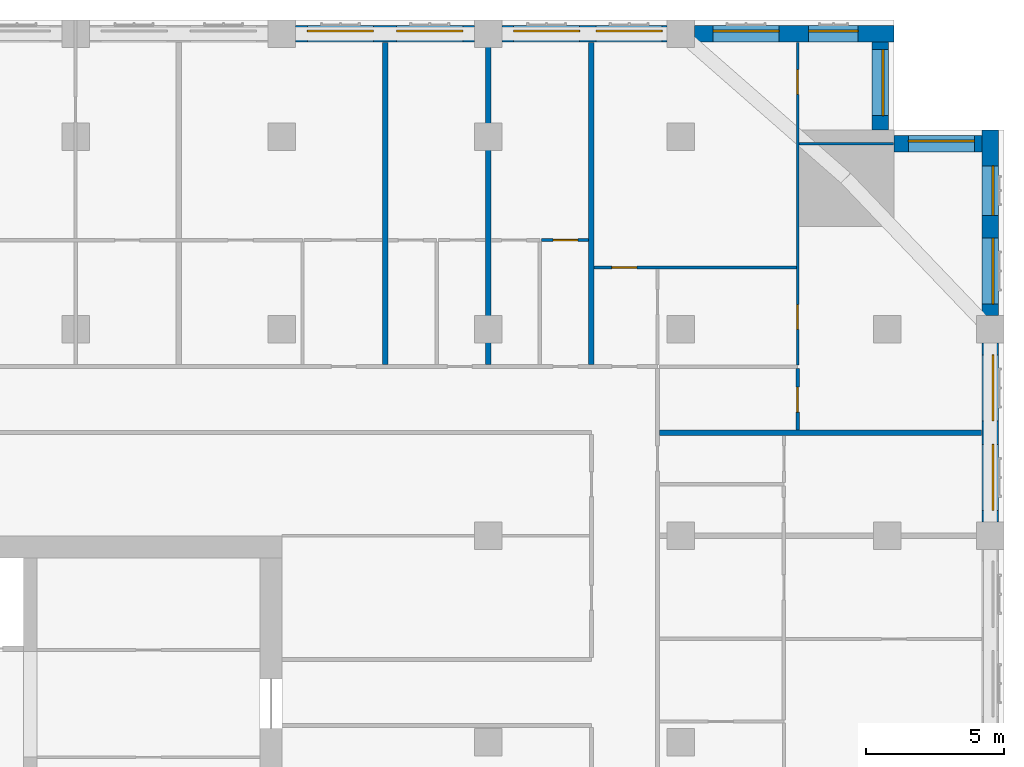
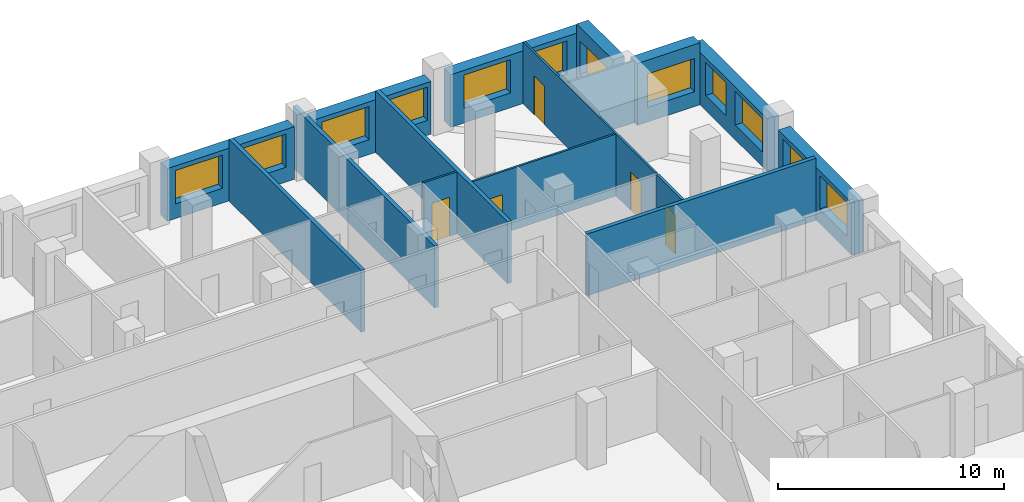
# One storey, part 11 of 14: 16 walls, 12 windows, 5 doors, 17 openings.
"""IFC4 building model written with IfcOpenShell, lengths in metres."""

from ifc_helpers import new_model, si_unit, direction, frame, frame_2d, origin, place, context, subcontext, project, spatial, rectangle, extrude, material, layer, layer_set, type_object, element, fill, save


model = new_model("IFC4")

# Units and contexts
model_context = context("Model", 3, precision=1e-05, world=origin(), true_north=direction((0.0, 1.0)))
body_context = subcontext(model_context, "Body", "Model", "MODEL_VIEW")
ifc_project = project(units=[si_unit("LENGTHUNIT", "METRE"), si_unit("AREAUNIT", "SQUARE_METRE"), si_unit("VOLUMEUNIT", "CUBIC_METRE"), si_unit("PLANEANGLEUNIT", "RADIAN"), si_unit("MASSUNIT", "GRAM", prefix="KILO")], contexts=[model_context])

# Site, building, storey
site_placement = place(None, origin())
site = spatial("IfcSite", under=ifc_project, at=site_placement, CompositionType="ELEMENT")
building_placement = place(site_placement, origin())
building = spatial("IfcBuilding", under=site, at=building_placement, Name="Tamorin Gate", CompositionType="ELEMENT")
storey_placement = place(building_placement, frame((0.0, 0.0, 137.39990234375)))
storey = spatial("IfcBuildingStorey", under=building, at=storey_placement, Name="L33", CompositionType="ELEMENT", Elevation=137.39990234375)

# Wall, openings, windows
ifc_material_1 = material(Name="Precast concrete C40/50", Category="concrete")
ifc_layer_1 = layer(ifc_material_1, 0.60009765625)
ifc_layer_set_1 = layer_set([ifc_layer_1], Name="Precast concrete C40/50")
wall_type_1 = type_object("IfcWallType", Name="Board-marked concrete facade panel 600", PredefinedType="SOLIDWALL", material=ifc_layer_set_1)
wall_1_placement = place(storey_placement, frame((85.75, 83.0, 0.0), z_axis=(0.0, 0.0, 1.0), x_axis=(0.0, 1.0, 0.0)))
wall_1 = element("IfcWall", 1, at=wall_1_placement, inside=storey, type_object=wall_type_1, Name="Facade panel", PredefinedType="SOLIDWALL", context=body_context, shape_type="SweptSolid", body=[
    extrude(rectangle(XDim=6.5, YDim=0.60009765625, at=frame_2d((3.25, 0.0))), origin(), (0.0, 0.0, 1.0), 2.85009765625),
])
opening_1_placement = place(wall_1_placement, frame((0.425048828125, 0.0, 0.800048828125)))
opening_1 = element("IfcOpeningElement", 2, at=opening_1_placement, cuts=wall_1, Name="Opening WN1", PredefinedType="OPENING", context=body_context, shape_type="SweptSolid", body=[
    extrude(rectangle(XDim=2.39990234375, YDim=1.800048828125, at=frame_2d((1.199951171875, 0.89990234375))), frame((0.0, 0.31005859375, 0.0), z_axis=(0.0, -1.0, 0.0), x_axis=(1.0, 0.0, 0.0)), (0.0, 0.0, 1.0), 0.6201171875),
])
opening_2_placement = place(wall_1_placement, frame((3.675048828125, 0.0, 0.800048828125)))
opening_2 = element("IfcOpeningElement", 3, at=opening_2_placement, cuts=wall_1, Name="Opening WN1", PredefinedType="OPENING", context=body_context, shape_type="SweptSolid", body=[
    extrude(rectangle(XDim=2.39990234375, YDim=1.800048828125, at=frame_2d((1.199951171875, 0.89990234375))), frame((0.0, 0.31005859375, 0.0), z_axis=(0.0, -1.0, 0.0), x_axis=(1.0, 0.0, 0.0)), (0.0, 0.0, 1.0), 0.6201171875),
])
ifc_material_2 = material(Name="Clear glass in aluminium frame", Category="aluminium")
window_type_1 = type_object("IfcWindowType", Name="Deep-set window 2400x1800", PartitioningType="SINGLE_PANEL", PredefinedType="WINDOW", material=ifc_material_2)
window_1_placement = place(opening_1_placement, origin())
window_1 = element("IfcWindow", 4, at=window_1_placement, inside=storey, type_object=window_type_1, Name="Deep-set window", OverallHeight=1.800048828125, OverallWidth=2.39990234375, PartitioningType="SINGLE_PANEL", PredefinedType="WINDOW", context=body_context, shape_type="SweptSolid", body=[
    extrude(rectangle(XDim=2.39990234375, YDim=1.800048828125, at=frame_2d((1.199951171875, 0.89990234375))), frame((0.0, -0.070068359375, 0.0), z_axis=(0.0, -1.0, 0.0), x_axis=(1.0, 0.0, 0.0)), (0.0, 0.0, 1.0), 0.06005859375),
])
fill(opening_1, window_1)
window_2_placement = place(opening_2_placement, origin())
window_2 = element("IfcWindow", 5, at=window_2_placement, inside=storey, type_object=window_type_1, Name="Deep-set window", OverallHeight=1.800048828125, OverallWidth=2.39990234375, PartitioningType="SINGLE_PANEL", PredefinedType="WINDOW", context=body_context, shape_type="SweptSolid", body=[
    extrude(rectangle(XDim=2.39990234375, YDim=1.800048828125, at=frame_2d((1.199951171875, 0.89990234375))), frame((0.0, -0.070068359375, 0.0), z_axis=(0.0, -1.0, 0.0), x_axis=(1.0, 0.0, 0.0)), (0.0, 0.0, 1.0), 0.06005859375),
])
fill(opening_2, window_2)

wall_2_placement = place(storey_placement, frame((85.75, 90.5, 0.0), z_axis=(0.0, 0.0, 1.0), x_axis=(0.0, 1.0, 0.0)))
wall_2 = element("IfcWall", 6, at=wall_2_placement, inside=storey, type_object=wall_type_1, Name="Facade panel", PredefinedType="SOLIDWALL", context=body_context, shape_type="SweptSolid", body=[
    extrude(rectangle(XDim=6.75, YDim=0.60009765625, at=frame_2d((3.375, 0.0))), origin(), (0.0, 0.0, 1.0), 2.85009765625),
])
opening_3_placement = place(wall_2_placement, frame((0.425048828125, 0.0, 0.800048828125)))
opening_3 = element("IfcOpeningElement", 7, at=opening_3_placement, cuts=wall_2, Name="Opening WN1", PredefinedType="OPENING", context=body_context, shape_type="SweptSolid", body=[
    extrude(rectangle(XDim=2.39990234375, YDim=1.800048828125, at=frame_2d((1.199951171875, 0.89990234375))), frame((0.0, 0.31005859375, 0.0), z_axis=(0.0, -1.0, 0.0), x_axis=(1.0, 0.0, 0.0)), (0.0, 0.0, 1.0), 0.6201171875),
])
opening_4_placement = place(wall_2_placement, frame((3.64990234375, 0.0, 0.800048828125)))
opening_4 = element("IfcOpeningElement", 8, at=opening_4_placement, cuts=wall_2, Name="Opening WN2", PredefinedType="OPENING", context=body_context, shape_type="SweptSolid", body=[
    extrude(rectangle(XDim=1.800048828125, YDim=1.800048828125, at=frame_2d((0.89990234375, 0.89990234375))), frame((0.0, 0.31005859375, 0.0), z_axis=(0.0, -1.0, 0.0), x_axis=(1.0, 0.0, 0.0)), (0.0, 0.0, 1.0), 0.6201171875),
])
window_type_2 = type_object("IfcWindowType", Name="Deep-set window 1800x1800", PartitioningType="SINGLE_PANEL", PredefinedType="WINDOW", material=ifc_material_2)
window_3_placement = place(opening_4_placement, origin())
window_3 = element("IfcWindow", 9, at=window_3_placement, inside=storey, type_object=window_type_2, Name="Deep-set window", OverallHeight=1.800048828125, OverallWidth=1.800048828125, PartitioningType="SINGLE_PANEL", PredefinedType="WINDOW", context=body_context, shape_type="SweptSolid", body=[
    extrude(rectangle(XDim=1.800048828125, YDim=1.800048828125, at=frame_2d((0.89990234375, 0.89990234375))), frame((0.0, -0.070068359375, 0.0), z_axis=(0.0, -1.0, 0.0), x_axis=(1.0, 0.0, 0.0)), (0.0, 0.0, 1.0), 0.06005859375),
])
fill(opening_4, window_3)
window_4_placement = place(opening_3_placement, origin())
window_4 = element("IfcWindow", 10, at=window_4_placement, inside=storey, type_object=window_type_1, Name="Deep-set window", OverallHeight=1.800048828125, OverallWidth=2.39990234375, PartitioningType="SINGLE_PANEL", PredefinedType="WINDOW", context=body_context, shape_type="SweptSolid", body=[
    extrude(rectangle(XDim=2.39990234375, YDim=1.800048828125, at=frame_2d((1.199951171875, 0.89990234375))), frame((0.0, -0.070068359375, 0.0), z_axis=(0.0, -1.0, 0.0), x_axis=(1.0, 0.0, 0.0)), (0.0, 0.0, 1.0), 0.06005859375),
])
fill(opening_3, window_4)

# Wall, opening, window
wall_3_placement = place(storey_placement, frame((85.449951171875, 96.75, 0.0), z_axis=(0.0, 0.0, 1.0), x_axis=(-1.0, 0.0, 0.0)))
wall_3 = element("IfcWall", 11, at=wall_3_placement, inside=storey, type_object=wall_type_1, Name="Facade panel", PredefinedType="SOLIDWALL", context=body_context, shape_type="SweptSolid", body=[
    extrude(rectangle(XDim=3.199951171875, YDim=0.60009765625, at=frame_2d((1.60009765625, 0.0))), origin(), (0.0, 0.0, 1.0), 3.35009765625),
])
opening_5_placement = place(wall_3_placement, frame((0.27490234375, 0.0, 0.800048828125)))
opening_5 = element("IfcOpeningElement", 12, at=opening_5_placement, cuts=wall_3, Name="Opening WN1", PredefinedType="OPENING", context=body_context, shape_type="SweptSolid", body=[
    extrude(rectangle(XDim=2.39990234375, YDim=1.800048828125, at=frame_2d((1.199951171875, 0.89990234375))), frame((0.0, 0.31005859375, 0.0), z_axis=(0.0, -1.0, 0.0), x_axis=(1.0, 0.0, 0.0)), (0.0, 0.0, 1.0), 0.6201171875),
])
window_5_placement = place(opening_5_placement, origin())
window_5 = element("IfcWindow", 13, at=window_5_placement, inside=storey, type_object=window_type_1, Name="Deep-set window", OverallHeight=1.800048828125, OverallWidth=2.39990234375, PartitioningType="SINGLE_PANEL", PredefinedType="WINDOW", context=body_context, shape_type="SweptSolid", body=[
    extrude(rectangle(XDim=2.39990234375, YDim=1.800048828125, at=frame_2d((1.199951171875, 0.89990234375))), frame((0.0, -0.070068359375, 0.0), z_axis=(0.0, -1.0, 0.0), x_axis=(1.0, 0.0, 0.0)), (0.0, 0.0, 1.0), 0.06005859375),
])
fill(opening_5, window_5)

wall_4_placement = place(storey_placement, frame((81.75, 97.25, 0.0), z_axis=(0.0, 0.0, 1.0), x_axis=(0.0, 1.0, 0.0)))
wall_4 = element("IfcWall", 14, at=wall_4_placement, inside=storey, type_object=wall_type_1, Name="Facade panel", PredefinedType="SOLIDWALL", context=body_context, shape_type="SweptSolid", body=[
    extrude(rectangle(XDim=3.199951171875, YDim=0.60009765625, at=frame_2d((1.60009765625, 0.0))), origin(), (0.0, 0.0, 1.0), 3.35009765625),
])
opening_6_placement = place(wall_4_placement, frame((0.52490234375, 0.0, 0.800048828125)))
opening_6 = element("IfcOpeningElement", 15, at=opening_6_placement, cuts=wall_4, Name="Opening WN1", PredefinedType="OPENING", context=body_context, shape_type="SweptSolid", body=[
    extrude(rectangle(XDim=2.39990234375, YDim=1.800048828125, at=frame_2d((1.199951171875, 0.89990234375))), frame((0.0, 0.31005859375, 0.0), z_axis=(0.0, -1.0, 0.0), x_axis=(1.0, 0.0, 0.0)), (0.0, 0.0, 1.0), 0.6201171875),
])
window_6_placement = place(opening_6_placement, origin())
window_6 = element("IfcWindow", 16, at=window_6_placement, inside=storey, type_object=window_type_1, Name="Deep-set window", OverallHeight=1.800048828125, OverallWidth=2.39990234375, PartitioningType="SINGLE_PANEL", PredefinedType="WINDOW", context=body_context, shape_type="SweptSolid", body=[
    extrude(rectangle(XDim=2.39990234375, YDim=1.800048828125, at=frame_2d((1.199951171875, 0.89990234375))), frame((0.0, -0.070068359375, 0.0), z_axis=(0.0, -1.0, 0.0), x_axis=(1.0, 0.0, 0.0)), (0.0, 0.0, 1.0), 0.06005859375),
])
fill(opening_6, window_6)

# Wall, openings, windows
wall_5_placement = place(storey_placement, frame((82.25, 100.75, 0.0), z_axis=(0.0, 0.0, 1.0), x_axis=(-1.0, 0.0, 0.0)))
wall_5 = element("IfcWall", 17, at=wall_5_placement, inside=storey, type_object=wall_type_1, Name="Facade panel", PredefinedType="SOLIDWALL", context=body_context, shape_type="SweptSolid", body=[
    extrude(rectangle(XDim=7.25, YDim=0.60009765625, at=frame_2d((3.625, 0.0))), origin(), (0.0, 0.0, 1.0), 2.85009765625),
])
opening_7_placement = place(wall_5_placement, frame((4.175048828125, 0.0, 0.800048828125)))
opening_7 = element("IfcOpeningElement", 18, at=opening_7_placement, cuts=wall_5, Name="Opening WN1", PredefinedType="OPENING", context=body_context, shape_type="SweptSolid", body=[
    extrude(rectangle(XDim=2.39990234375, YDim=1.800048828125, at=frame_2d((1.199951171875, 0.89990234375))), frame((0.0, 0.31005859375, 0.0), z_axis=(0.0, -1.0, 0.0), x_axis=(1.0, 0.0, 0.0)), (0.0, 0.0, 1.0), 0.6201171875),
])
opening_8_placement = place(wall_5_placement, frame((1.300048828125, 0.0, 0.800048828125)))
opening_8 = element("IfcOpeningElement", 19, at=opening_8_placement, cuts=wall_5, Name="Opening WN2", PredefinedType="OPENING", context=body_context, shape_type="SweptSolid", body=[
    extrude(rectangle(XDim=1.800048828125, YDim=1.800048828125, at=frame_2d((0.89990234375, 0.89990234375))), frame((0.0, 0.31005859375, 0.0), z_axis=(0.0, -1.0, 0.0), x_axis=(1.0, 0.0, 0.0)), (0.0, 0.0, 1.0), 0.6201171875),
])
window_7_placement = place(opening_8_placement, origin())
window_7 = element("IfcWindow", 20, at=window_7_placement, inside=storey, type_object=window_type_2, Name="Deep-set window", OverallHeight=1.800048828125, OverallWidth=1.800048828125, PartitioningType="SINGLE_PANEL", PredefinedType="WINDOW", context=body_context, shape_type="SweptSolid", body=[
    extrude(rectangle(XDim=1.800048828125, YDim=1.800048828125, at=frame_2d((0.89990234375, 0.89990234375))), frame((0.0, -0.070068359375, 0.0), z_axis=(0.0, -1.0, 0.0), x_axis=(1.0, 0.0, 0.0)), (0.0, 0.0, 1.0), 0.06005859375),
])
fill(opening_8, window_7)
window_8_placement = place(opening_7_placement, origin())
window_8 = element("IfcWindow", 21, at=window_8_placement, inside=storey, type_object=window_type_1, Name="Deep-set window", OverallHeight=1.800048828125, OverallWidth=2.39990234375, PartitioningType="SINGLE_PANEL", PredefinedType="WINDOW", context=body_context, shape_type="SweptSolid", body=[
    extrude(rectangle(XDim=2.39990234375, YDim=1.800048828125, at=frame_2d((1.199951171875, 0.89990234375))), frame((0.0, -0.070068359375, 0.0), z_axis=(0.0, -1.0, 0.0), x_axis=(1.0, 0.0, 0.0)), (0.0, 0.0, 1.0), 0.06005859375),
])
fill(opening_7, window_8)

wall_6_placement = place(storey_placement, frame((74.0, 100.75, 0.0), z_axis=(0.0, 0.0, 1.0), x_axis=(-1.0, 0.0, 0.0)))
wall_6 = element("IfcWall", 22, at=wall_6_placement, inside=storey, type_object=wall_type_1, Name="Facade panel", PredefinedType="SOLIDWALL", context=body_context, shape_type="SweptSolid", body=[
    extrude(rectangle(XDim=6.0, YDim=0.60009765625, at=frame_2d((3.0, 0.0))), origin(), (0.0, 0.0, 1.0), 2.85009765625),
])
opening_9_placement = place(wall_6_placement, frame((3.175048828125, 0.0, 0.800048828125)))
opening_9 = element("IfcOpeningElement", 23, at=opening_9_placement, cuts=wall_6, Name="Opening WN1", PredefinedType="OPENING", context=body_context, shape_type="SweptSolid", body=[
    extrude(rectangle(XDim=2.39990234375, YDim=1.800048828125, at=frame_2d((1.199951171875, 0.89990234375))), frame((0.0, 0.31005859375, 0.0), z_axis=(0.0, -1.0, 0.0), x_axis=(1.0, 0.0, 0.0)), (0.0, 0.0, 1.0), 0.6201171875),
])
opening_10_placement = place(wall_6_placement, frame((0.175048828125, 0.0, 0.800048828125)))
opening_10 = element("IfcOpeningElement", 24, at=opening_10_placement, cuts=wall_6, Name="Opening WN1", PredefinedType="OPENING", context=body_context, shape_type="SweptSolid", body=[
    extrude(rectangle(XDim=2.39990234375, YDim=1.800048828125, at=frame_2d((1.199951171875, 0.89990234375))), frame((0.0, 0.31005859375, 0.0), z_axis=(0.0, -1.0, 0.0), x_axis=(1.0, 0.0, 0.0)), (0.0, 0.0, 1.0), 0.6201171875),
])
window_9_placement = place(opening_9_placement, origin())
window_9 = element("IfcWindow", 25, at=window_9_placement, inside=storey, type_object=window_type_1, Name="Deep-set window", OverallHeight=1.800048828125, OverallWidth=2.39990234375, PartitioningType="SINGLE_PANEL", PredefinedType="WINDOW", context=body_context, shape_type="SweptSolid", body=[
    extrude(rectangle(XDim=2.39990234375, YDim=1.800048828125, at=frame_2d((1.199951171875, 0.89990234375))), frame((0.0, -0.070068359375, 0.0), z_axis=(0.0, -1.0, 0.0), x_axis=(1.0, 0.0, 0.0)), (0.0, 0.0, 1.0), 0.06005859375),
])
fill(opening_9, window_9)
window_10_placement = place(opening_10_placement, origin())
window_10 = element("IfcWindow", 26, at=window_10_placement, inside=storey, type_object=window_type_1, Name="Deep-set window", OverallHeight=1.800048828125, OverallWidth=2.39990234375, PartitioningType="SINGLE_PANEL", PredefinedType="WINDOW", context=body_context, shape_type="SweptSolid", body=[
    extrude(rectangle(XDim=2.39990234375, YDim=1.800048828125, at=frame_2d((1.199951171875, 0.89990234375))), frame((0.0, -0.070068359375, 0.0), z_axis=(0.0, -1.0, 0.0), x_axis=(1.0, 0.0, 0.0)), (0.0, 0.0, 1.0), 0.06005859375),
])
fill(opening_10, window_10)

wall_7_placement = place(storey_placement, frame((67.0, 100.75, 0.0), z_axis=(0.0, 0.0, 1.0), x_axis=(-1.0, 0.0, 0.0)))
wall_7 = element("IfcWall", 27, at=wall_7_placement, inside=storey, type_object=wall_type_1, Name="Facade panel", PredefinedType="SOLIDWALL", context=body_context, shape_type="SweptSolid", body=[
    extrude(rectangle(XDim=6.5, YDim=0.60009765625, at=frame_2d((3.25, 0.0))), origin(), (0.0, 0.0, 1.0), 2.85009765625),
])
opening_11_placement = place(wall_7_placement, frame((3.675048828125, 0.0, 0.800048828125)))
opening_11 = element("IfcOpeningElement", 28, at=opening_11_placement, cuts=wall_7, Name="Opening WN1", PredefinedType="OPENING", context=body_context, shape_type="SweptSolid", body=[
    extrude(rectangle(XDim=2.39990234375, YDim=1.800048828125, at=frame_2d((1.199951171875, 0.89990234375))), frame((0.0, 0.31005859375, 0.0), z_axis=(0.0, -1.0, 0.0), x_axis=(1.0, 0.0, 0.0)), (0.0, 0.0, 1.0), 0.6201171875),
])
opening_12_placement = place(wall_7_placement, frame((0.425048828125, 0.0, 0.800048828125)))
opening_12 = element("IfcOpeningElement", 29, at=opening_12_placement, cuts=wall_7, Name="Opening WN1", PredefinedType="OPENING", context=body_context, shape_type="SweptSolid", body=[
    extrude(rectangle(XDim=2.39990234375, YDim=1.800048828125, at=frame_2d((1.199951171875, 0.89990234375))), frame((0.0, 0.31005859375, 0.0), z_axis=(0.0, -1.0, 0.0), x_axis=(1.0, 0.0, 0.0)), (0.0, 0.0, 1.0), 0.6201171875),
])
window_11_placement = place(opening_11_placement, origin())
window_11 = element("IfcWindow", 30, at=window_11_placement, inside=storey, type_object=window_type_1, Name="Deep-set window", OverallHeight=1.800048828125, OverallWidth=2.39990234375, PartitioningType="SINGLE_PANEL", PredefinedType="WINDOW", context=body_context, shape_type="SweptSolid", body=[
    extrude(rectangle(XDim=2.39990234375, YDim=1.800048828125, at=frame_2d((1.199951171875, 0.89990234375))), frame((0.0, -0.070068359375, 0.0), z_axis=(0.0, -1.0, 0.0), x_axis=(1.0, 0.0, 0.0)), (0.0, 0.0, 1.0), 0.06005859375),
])
fill(opening_11, window_11)
window_12_placement = place(opening_12_placement, origin())
window_12 = element("IfcWindow", 31, at=window_12_placement, inside=storey, type_object=window_type_1, Name="Deep-set window", OverallHeight=1.800048828125, OverallWidth=2.39990234375, PartitioningType="SINGLE_PANEL", PredefinedType="WINDOW", context=body_context, shape_type="SweptSolid", body=[
    extrude(rectangle(XDim=2.39990234375, YDim=1.800048828125, at=frame_2d((1.199951171875, 0.89990234375))), frame((0.0, -0.070068359375, 0.0), z_axis=(0.0, -1.0, 0.0), x_axis=(1.0, 0.0, 0.0)), (0.0, 0.0, 1.0), 0.06005859375),
])
fill(opening_12, window_12)

# Walls
ifc_material_3 = material(Name="Gypsum board partition")
ifc_layer_2 = layer(ifc_material_3, 0.199951171875)
ifc_layer_set_2 = layer_set([ifc_layer_2], Name="Demising wall 200")
wall_type_2 = type_object("IfcWallType", Name="Demising wall 200", PredefinedType="PARTITIONING", material=ifc_layer_set_2)
for number, where, z_axis, x_axis, name in (
    (32, (73.72509765625, 86.25, 0.0), (0.0, 0.0, 1.0), (1.0, 0.0, 0.0), "Demising wall 200"),
    (33, (63.75, 88.72509765625, 0.0), (0.0, 0.0, 1.0), (0.0, 1.0, 0.0), "Demising wall 200"),
):
    element("IfcWall", number, at=place(storey_placement, frame(where, z_axis=z_axis, x_axis=x_axis)), inside=storey, type_object=wall_type_2, Name=name, PredefinedType="PARTITIONING", context=body_context, shape_type="SweptSolid", body=[
        extrude(rectangle(XDim=11.71484375, YDim=0.199951171875, at=frame_2d((5.857421875, 0.0))), origin(), (0.0, 0.0, 1.0), 3.35009765625),
    ])
wall_8_placement = place(storey_placement, frame((67.5, 88.72509765625, 0.0), z_axis=(0.0, 0.0, 1.0), x_axis=(0.0, 1.0, 0.0)))
element("IfcWall", 34, at=wall_8_placement, inside=storey, type_object=wall_type_2, Name="Demising wall 200", PredefinedType="PARTITIONING", context=body_context, shape_type="SweptSolid", body=[
    extrude(rectangle(XDim=12.52490234375, YDim=0.199951171875, at=frame_2d((6.262451171875, 0.0))), origin(), (0.0, 0.0, 1.0), 3.35009765625),
])
wall_9_placement = place(storey_placement, frame((71.25, 88.72509765625, 0.0), z_axis=(0.0, 0.0, 1.0), x_axis=(0.0, 1.0, 0.0)))
element("IfcWall", 35, at=wall_9_placement, inside=storey, type_object=wall_type_2, Name="Demising wall 200", PredefinedType="PARTITIONING", context=body_context, shape_type="SweptSolid", body=[
    extrude(rectangle(XDim=11.71484375, YDim=0.199951171875, at=frame_2d((5.857421875, 0.0))), origin(), (0.0, 0.0, 1.0), 3.35009765625),
])

# Wall, opening, door
ifc_layer_3 = layer(ifc_material_3, 0.10009765625)
ifc_layer_set_3 = layer_set([ifc_layer_3], Name="Room partition 100")
wall_type_3 = type_object("IfcWallType", Name="Room partition 100", PredefinedType="PARTITIONING", material=ifc_layer_set_3)
wall_10_placement = place(storey_placement, frame((71.35009765625, 92.25, 0.0), z_axis=(0.0, 0.0, 1.0), x_axis=(1.0, 0.0, 0.0)))
wall_10 = element("IfcWall", 36, at=wall_10_placement, inside=storey, type_object=wall_type_3, Name="Room partition 100", PredefinedType="PARTITIONING", context=body_context, shape_type="SweptSolid", body=[
    extrude(rectangle(XDim=7.349853515625, YDim=0.10009765625, at=frame_2d((3.6748046875, 0.0))), origin(), (0.0, 0.0, 1.0), 3.35009765625),
])
opening_13_placement = place(wall_10_placement, frame((0.64990234375, 0.0, 0.0)))
opening_13 = element("IfcOpeningElement", 37, at=opening_13_placement, cuts=wall_10, Name="Opening DS3063", PredefinedType="OPENING", context=body_context, shape_type="SweptSolid", body=[
    extrude(rectangle(XDim=0.89990234375, YDim=2.10009765625, at=frame_2d((0.449951171875, 1.050048828125))), frame((0.0, 0.06005859375, 0.0), z_axis=(0.0, -1.0, 0.0), x_axis=(1.0, 0.0, 0.0)), (0.0, 0.0, 1.0), 0.1201171875),
])
ifc_material_4 = material(Name="Timber door leaf", Category="wood")
door_type = type_object("IfcDoorType", Name="Door 900 x 2100", OperationType="NOTDEFINED", PredefinedType="DOOR", material=ifc_material_4)
door_1_placement = place(opening_13_placement, origin())
door_1 = element("IfcDoor", 38, at=door_1_placement, inside=storey, type_object=door_type, Name="Door DS3063", OperationType="SINGLE_SWING_LEFT", OverallHeight=2.10009765625, OverallWidth=0.89990234375, PredefinedType="DOOR", context=body_context, shape_type="SweptSolid", body=[
    extrude(rectangle(XDim=0.89990234375, YDim=2.10009765625, at=frame_2d((0.449951171875, 1.050048828125))), frame((0.0, 0.02490234375, 0.0), z_axis=(0.0, -1.0, 0.0), x_axis=(1.0, 0.0, 0.0)), (0.0, 0.0, 1.0), 0.050048828125),
])
fill(opening_13, door_1)

wall_11_placement = place(storey_placement, frame((69.4375, 93.25, 0.0), z_axis=(0.0, 0.0, 1.0), x_axis=(1.0, 0.0, 0.0)))
wall_11 = element("IfcWall", 39, at=wall_11_placement, inside=storey, type_object=wall_type_3, Name="Room partition 100", PredefinedType="PARTITIONING", context=body_context, shape_type="SweptSolid", body=[
    extrude(rectangle(XDim=1.71240234375, YDim=0.10009765625, at=frame_2d((0.856201171875, 0.0))), origin(), (0.0, 0.0, 1.0), 3.35009765625),
])
opening_14_placement = place(wall_11_placement, frame((0.425048828125, 0.0, 0.0)))
opening_14 = element("IfcOpeningElement", 40, at=opening_14_placement, cuts=wall_11, Name="Opening DS3037", PredefinedType="OPENING", context=body_context, shape_type="SweptSolid", body=[
    extrude(rectangle(XDim=0.89990234375, YDim=2.10009765625, at=frame_2d((0.449951171875, 1.050048828125))), frame((0.0, 0.06005859375, 0.0), z_axis=(0.0, -1.0, 0.0), x_axis=(1.0, 0.0, 0.0)), (0.0, 0.0, 1.0), 0.1201171875),
])
door_2_placement = place(opening_14_placement, origin())
door_2 = element("IfcDoor", 41, at=door_2_placement, inside=storey, type_object=door_type, Name="Door DS3037", OperationType="SINGLE_SWING_RIGHT", OverallHeight=2.10009765625, OverallWidth=0.89990234375, PredefinedType="DOOR", context=body_context, shape_type="SweptSolid", body=[
    extrude(rectangle(XDim=0.89990234375, YDim=2.10009765625, at=frame_2d((0.449951171875, 1.050048828125))), frame((0.0, 0.02490234375, 0.0), z_axis=(0.0, -1.0, 0.0), x_axis=(1.0, 0.0, 0.0)), (0.0, 0.0, 1.0), 0.050048828125),
])
fill(opening_14, door_2)

# Wall
wall_12_placement = place(storey_placement, frame((78.800048828125, 96.75, 0.0), z_axis=(0.0, 0.0, 1.0), x_axis=(1.0, 0.0, 0.0)))
element("IfcWall", 42, at=wall_12_placement, inside=storey, type_object=wall_type_3, Name="Room partition 100", PredefinedType="PARTITIONING", context=body_context, shape_type="SweptSolid", body=[
    extrude(rectangle(XDim=3.43994140625, YDim=0.10009765625, at=frame_2d((1.719970703125, 0.0))), origin(), (0.0, 0.0, 1.0), 3.35009765625),
])

# Wall, openings, doors
wall_13_placement = place(storey_placement, frame((78.75, 88.71240234375, 0.0), z_axis=(0.0, 0.0, 1.0), x_axis=(0.0, 1.0, 0.0)))
wall_13 = element("IfcWall", 43, at=wall_13_placement, inside=storey, type_object=wall_type_3, Name="Room partition 100", PredefinedType="PARTITIONING", context=body_context, shape_type="SweptSolid", body=[
    extrude(rectangle(XDim=11.7275390625, YDim=0.10009765625, at=frame_2d((5.86376953125, 0.0))), origin(), (0.0, 0.0, 1.0), 3.35009765625),
])
opening_15_placement = place(wall_13_placement, frame((9.83740234375, 0.0, 0.0)))
opening_15 = element("IfcOpeningElement", 44, at=opening_15_placement, cuts=wall_13, Name="Opening DS3065", PredefinedType="OPENING", context=body_context, shape_type="SweptSolid", body=[
    extrude(rectangle(XDim=0.89990234375, YDim=2.10009765625, at=frame_2d((0.449951171875, 1.050048828125))), frame((0.0, 0.06005859375, 0.0), z_axis=(0.0, -1.0, 0.0), x_axis=(1.0, 0.0, 0.0)), (0.0, 0.0, 1.0), 0.1201171875),
])
opening_16_placement = place(wall_13_placement, frame((1.28759765625, 0.0, 0.0)))
opening_16 = element("IfcOpeningElement", 45, at=opening_16_placement, cuts=wall_13, Name="Opening DS3066", PredefinedType="OPENING", context=body_context, shape_type="SweptSolid", body=[
    extrude(rectangle(XDim=0.89990234375, YDim=2.10009765625, at=frame_2d((0.449951171875, 1.050048828125))), frame((0.0, 0.06005859375, 0.0), z_axis=(0.0, -1.0, 0.0), x_axis=(1.0, 0.0, 0.0)), (0.0, 0.0, 1.0), 0.1201171875),
])
door_3_placement = place(opening_15_placement, origin())
door_3 = element("IfcDoor", 46, at=door_3_placement, inside=storey, type_object=door_type, Name="Door DS3065", OperationType="SINGLE_SWING_LEFT", OverallHeight=2.10009765625, OverallWidth=0.89990234375, PredefinedType="DOOR", context=body_context, shape_type="SweptSolid", body=[
    extrude(rectangle(XDim=0.89990234375, YDim=2.10009765625, at=frame_2d((0.449951171875, 1.050048828125))), frame((0.0, 0.02490234375, 0.0), z_axis=(0.0, -1.0, 0.0), x_axis=(1.0, 0.0, 0.0)), (0.0, 0.0, 1.0), 0.050048828125),
])
fill(opening_15, door_3)
door_4_placement = place(opening_16_placement, origin())
door_4 = element("IfcDoor", 47, at=door_4_placement, inside=storey, type_object=door_type, Name="Door DS3066", OperationType="SINGLE_SWING_RIGHT", OverallHeight=2.10009765625, OverallWidth=0.89990234375, PredefinedType="DOOR", context=body_context, shape_type="SweptSolid", body=[
    extrude(rectangle(XDim=0.89990234375, YDim=2.10009765625, at=frame_2d((0.449951171875, 1.050048828125))), frame((0.0, 0.02490234375, 0.0), z_axis=(0.0, -1.0, 0.0), x_axis=(1.0, 0.0, 0.0)), (0.0, 0.0, 1.0), 0.050048828125),
])
fill(opening_16, door_4)

# Wall, opening, door
ifc_layer_4 = layer(ifc_material_3, 0.125)
ifc_layer_set_4 = layer_set([ifc_layer_4], Name="Wet wall 125")
wall_type_4 = type_object("IfcWallType", Name="Wet wall 125", PredefinedType="PARTITIONING", material=ifc_layer_set_4)
wall_14_placement = place(storey_placement, frame((78.75, 86.35009765625, 0.0), z_axis=(0.0, 0.0, 1.0), x_axis=(0.0, 1.0, 0.0)))
wall_14 = element("IfcWall", 48, at=wall_14_placement, inside=storey, type_object=wall_type_4, Name="Wet wall 125", PredefinedType="PARTITIONING", context=body_context, shape_type="SweptSolid", body=[
    extrude(rectangle(XDim=2.2373046875, YDim=0.125, at=frame_2d((1.11865234375, 0.0))), origin(), (0.0, 0.0, 1.0), 3.35009765625),
])
opening_17_placement = place(wall_14_placement, frame((0.64990234375, 0.0, 0.0)))
opening_17 = element("IfcOpeningElement", 49, at=opening_17_placement, cuts=wall_14, Name="Opening DS3067", PredefinedType="OPENING", context=body_context, shape_type="SweptSolid", body=[
    extrude(rectangle(XDim=0.89990234375, YDim=2.10009765625, at=frame_2d((0.449951171875, 1.050048828125))), frame((0.0, 0.072509765625, 0.0), z_axis=(0.0, -1.0, 0.0), x_axis=(1.0, 0.0, 0.0)), (0.0, 0.0, 1.0), 0.14501953125),
])
door_5_placement = place(opening_17_placement, origin())
door_5 = element("IfcDoor", 50, at=door_5_placement, inside=storey, type_object=door_type, Name="Door DS3067", OperationType="SINGLE_SWING_LEFT", OverallHeight=2.10009765625, OverallWidth=0.89990234375, PredefinedType="DOOR", context=body_context, shape_type="SweptSolid", body=[
    extrude(rectangle(XDim=0.89990234375, YDim=2.10009765625, at=frame_2d((0.449951171875, 1.050048828125))), frame((0.0, 0.02490234375, 0.0), z_axis=(0.0, -1.0, 0.0), x_axis=(1.0, 0.0, 0.0)), (0.0, 0.0, 1.0), 0.050048828125),
])
fill(opening_17, door_5)

save(model, "model.ifc")
